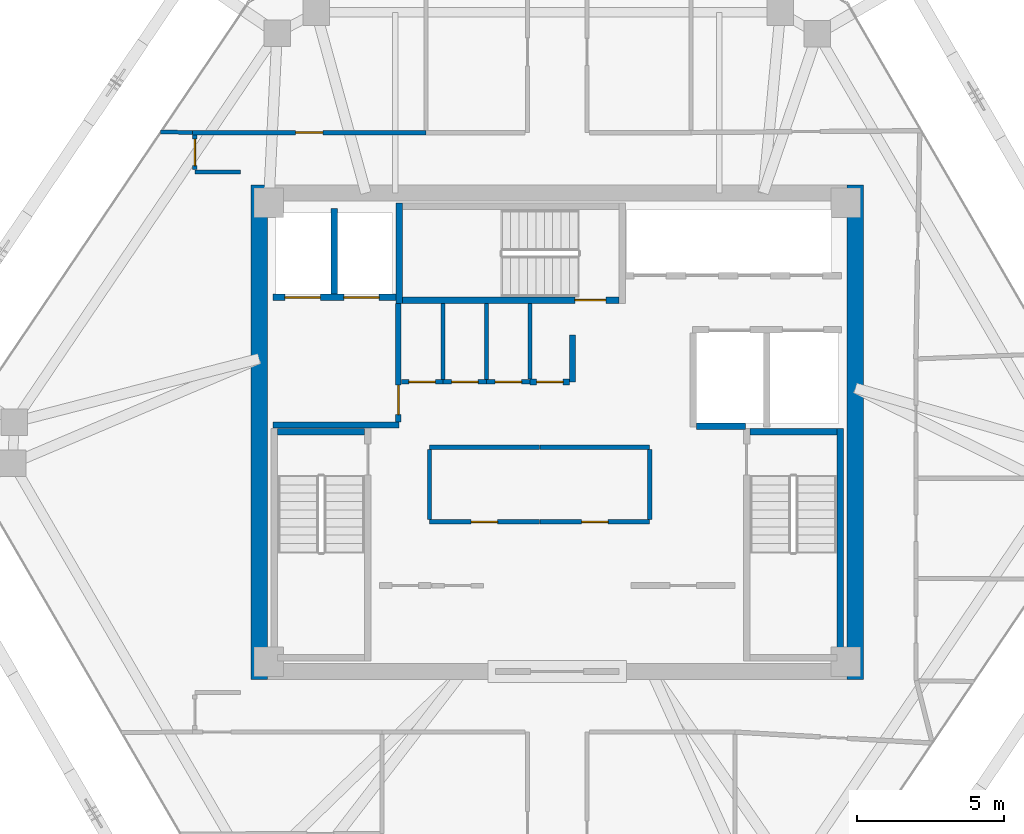
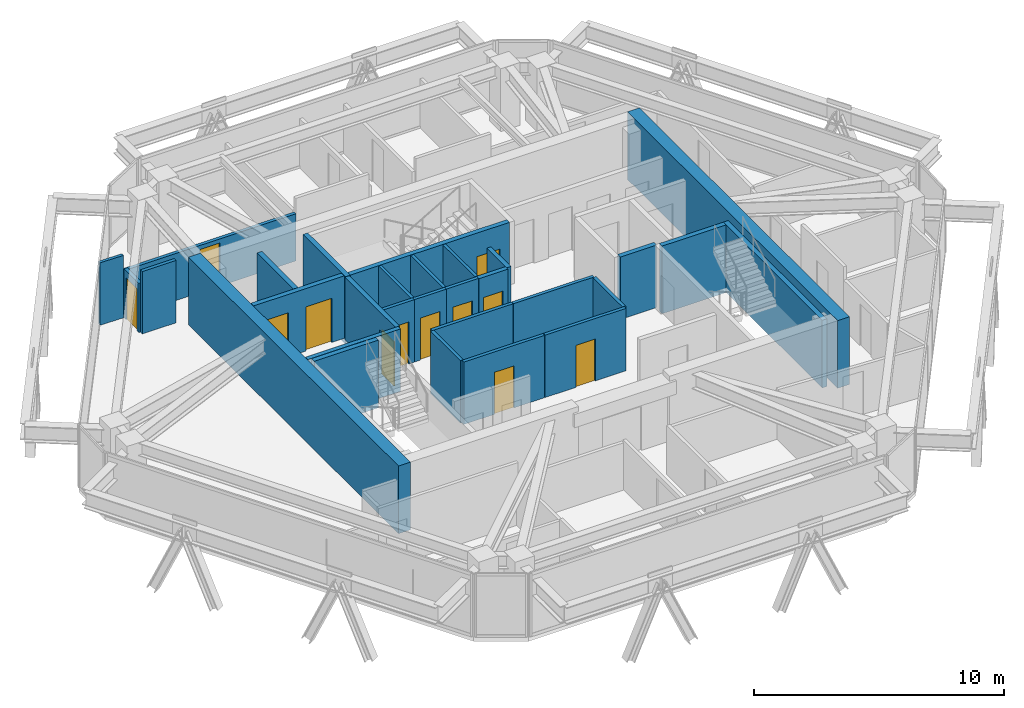
# One storey, part 10 of 13: 30 walls, 12 doors, 12 openings.
"""IFC4 building model written with IfcOpenShell, lengths in metres."""

from ifc_helpers import new_model, si_unit, direction, frame, frame_2d, origin, place, context, subcontext, project, spatial, rectangle, extrude, source, transform, mapped, material, layer, layer_set, type_object, type_shapes, element, fill, save


model = new_model("IFC4")

# Units and contexts
model_context = context("Model", 3, precision=1e-05, world=origin(), true_north=direction((0.0, 1.0)))
body_context = subcontext(model_context, "Body", "Model", "MODEL_VIEW")
ifc_project = project(units=[si_unit("LENGTHUNIT", "METRE"), si_unit("AREAUNIT", "SQUARE_METRE"), si_unit("VOLUMEUNIT", "CUBIC_METRE"), si_unit("PLANEANGLEUNIT", "RADIAN"), si_unit("MASSUNIT", "GRAM", prefix="KILO")], contexts=[model_context])

# Site, building, storey
site_placement = place(None, origin())
site = spatial("IfcSite", under=ifc_project, at=site_placement, CompositionType="ELEMENT")
building_placement = place(site_placement, origin())
building = spatial("IfcBuilding", under=site, at=building_placement, Name="Durnholm Broadcast Tower", CompositionType="ELEMENT")
storey_placement = place(building_placement, frame((0.0, 0.0, 234.800048828125)))
storey = spatial("IfcBuildingStorey", under=building, at=storey_placement, Name="L65", CompositionType="ELEMENT", Elevation=234.800048828125)

# Walls
ifc_material_1 = material(Name="Concrete C70/85", Category="concrete")
ifc_layer_1 = layer(ifc_material_1, 0.550048828125)
ifc_layer_set_1 = layer_set([ifc_layer_1], Name="Concrete C70/85")
wall_type_1 = type_object("IfcWallType", Name="WALL-CW-550", PredefinedType="SHEAR", material=ifc_layer_set_1)
for number, where, z_axis, x_axis, name in (
    (1, (-10.125, -8.39990234375, 0.0), (0.0, 0.0, 1.0), (0.0, 1.0, 0.0), "L65 central core shear wall CW-WEST"),
    (2, (10.125, -8.39990234375, 0.0), (0.0, 0.0, 1.0), (0.0, 1.0, 0.0), "L65 central core shear wall CW-EAST"),
):
    element("IfcWall", number, at=place(storey_placement, frame(where, z_axis=z_axis, x_axis=x_axis)), inside=storey, type_object=wall_type_1, Name=name, PredefinedType="SHEAR", context=body_context, shape_type="SweptSolid", body=[
        extrude(rectangle(XDim=16.7998046875, YDim=0.550048828125, at=frame_2d((8.39990234375, 0.0))), origin(), (0.0, 0.0, 1.0), 3.300048828125),
    ])
ifc_material_2 = material(Name="Fire-Rated Gypsum Shaftwall", Category="concrete")
ifc_layer_2 = layer(ifc_material_2, 0.199951171875)
ifc_layer_set_2 = layer_set([ifc_layer_2], Name="Fire-Rated Gypsum Shaftwall")
wall_type_2 = type_object("IfcWallType", Name="WALL-LOB-200", PredefinedType="SOLIDWALL", material=ifc_layer_set_2)
wall_1_placement = place(storey_placement, frame((-9.64990234375, 0.25, 0.0), z_axis=(0.0, 0.0, 1.0), x_axis=(1.0, 0.0, 0.0)))
element("IfcWall", 3, at=wall_1_placement, inside=storey, type_object=wall_type_2, Name="L65 Fire Service Access Elevator lobby south wall", PredefinedType="SOLIDWALL", context=body_context, shape_type="SweptSolid", body=[
    extrude(rectangle(XDim=4.27001953125, YDim=0.199951171875, at=frame_2d((2.135009765625, 0.0))), origin(), (0.0, 0.0, 1.0), 3.044921875),
])

# Wall, opening, door
wall_2_placement = place(storey_placement, frame((-5.39990234375, 0.35400390625, 0.0), z_axis=(0.0, 0.0, 1.0), x_axis=(0.0, 1.0, 0.0)))
wall_2 = element("IfcWall", 4, at=wall_2_placement, inside=storey, type_object=wall_type_2, Name="L65 Fire Service Access Elevator lobby east fire wall", PredefinedType="SOLIDWALL", context=body_context, shape_type="SweptSolid", body=[
    extrude(rectangle(XDim=4.02587890625, YDim=0.199951171875, at=frame_2d((2.012939453125, 0.0))), origin(), (0.0, 0.0, 1.0), 3.044921875),
])
opening_1_placement = place(wall_2_placement, frame((0.24609375, 0.0, 0.0)))
opening_1 = element("IfcOpeningElement", 5, at=opening_1_placement, cuts=wall_2, Name="Opening DL-60R", PredefinedType="OPENING", context=body_context, shape_type="SweptSolid", body=[
    extrude(rectangle(XDim=1.0, YDim=2.14990234375, at=frame_2d((0.5, 1.074951171875))), frame((0.0, 0.10986328125, 0.0), z_axis=(0.0, -1.0, 0.0), x_axis=(1.0, 0.0, 0.0)), (0.0, 0.0, 1.0), 0.219970703125),
])
ifc_material_3 = material(Name="Fire-Rated Timber/Steel Door", Category="steel")
ifc_layer_3 = layer(ifc_material_3, 0.050048828125)
ifc_layer_set_3 = layer_set([ifc_layer_3], Name="Fire-Rated Timber/Steel Door")
door_type_1 = type_object("IfcDoorType", Name="DOOR-LOB-FD60-R", OperationType="NOTDEFINED", PredefinedType="DOOR", material=ifc_layer_set_3)
shared_shape_1 = source(origin(), body_context, "Body", "SweptSolid", [
    extrude(rectangle(XDim=1.0, YDim=2.14990234375, at=frame_2d((0.5, 1.074951171875))), frame((0.0, 0.02490234375, 0.0), z_axis=(0.0, -1.0, 0.0), x_axis=(1.0, 0.0, 0.0)), (0.0, 0.0, 1.0), 0.050048828125),
])
type_shapes(door_type_1, [shared_shape_1])
door_1_placement = place(opening_1_placement, origin())
door_1 = element("IfcDoor", 6, at=door_1_placement, inside=storey, type_object=door_type_1, Name="L65 Fire Service Access Elevator lobby smoke door", OperationType="SINGLE_SWING_RIGHT", OverallHeight=2.14990234375, OverallWidth=1.0, PredefinedType="DOOR", context=body_context, shape_type="MappedRepresentation", body=[
    mapped(shared_shape_1, transform((0.0, 0.0, 0.0), x_axis=(1.0, 0.0, 0.0), y_axis=(0.0, 1.0, 0.0), z_axis=(0.0, 0.0, 1.0), scale=1.0)),
])
fill(opening_1, door_1)

# Wall
wall_3_placement = place(storey_placement, frame((0.52001953125, 3.300048828125, 0.0), z_axis=(0.0, 0.0, 1.0), x_axis=(0.0, -1.0, 0.0)))
element("IfcWall", 7, at=wall_3_placement, inside=storey, type_object=wall_type_2, Name="L65 Core Signal Sync Room corridor partition", PredefinedType="SOLIDWALL", context=body_context, shape_type="SweptSolid", body=[
    extrude(rectangle(XDim=1.590087890625, YDim=0.199951171875, at=frame_2d((0.794921875, 0.0))), origin(), (0.0, 0.0, 1.0), 3.044921875),
])

# Wall, opening, door
wall_4_placement = place(storey_placement, frame((0.416015625, 1.7099609375, 0.0), z_axis=(0.0, 0.0, 1.0), x_axis=(-1.0, 0.0, 0.0)))
wall_4 = element("IfcWall", 8, at=wall_4_placement, inside=storey, type_object=wall_type_2, Name="L65 Core Signal Sync Room corridor partition", PredefinedType="SOLIDWALL", context=body_context, shape_type="SweptSolid", body=[
    extrude(rectangle(XDim=1.3359375, YDim=0.199951171875, at=frame_2d((0.66796875, 0.0))), origin(), (0.0, 0.0, 1.0), 3.044921875),
])
opening_2_placement = place(wall_4_placement, frame((0.218017578125, 0.0, 0.0)))
opening_2 = element("IfcOpeningElement", 9, at=opening_2_placement, cuts=wall_4, Name="Opening DC-60R", PredefinedType="OPENING", context=body_context, shape_type="SweptSolid", body=[
    extrude(rectangle(XDim=0.89990234375, YDim=2.050048828125, at=frame_2d((0.449951171875, 1.02490234375))), frame((0.0, 0.10986328125, 0.0), z_axis=(0.0, -1.0, 0.0), x_axis=(1.0, 0.0, 0.0)), (0.0, 0.0, 1.0), 0.219970703125),
])
ifc_material_4 = material(Name="Fire-Rated Core Service Door", Category="steel")
ifc_layer_4 = layer(ifc_material_4, 0.050048828125)
ifc_layer_set_4 = layer_set([ifc_layer_4], Name="Fire-Rated Core Service Door")
door_type_2 = type_object("IfcDoorType", Name="DOOR-CORE-FD60-R", OperationType="NOTDEFINED", PredefinedType="DOOR", material=ifc_layer_set_4)
shared_shape_2 = source(origin(), body_context, "Body", "SweptSolid", [
    extrude(rectangle(XDim=0.89990234375, YDim=2.050048828125, at=frame_2d((0.449951171875, 1.02490234375))), frame((0.0, 0.02490234375, 0.0), z_axis=(0.0, -1.0, 0.0), x_axis=(1.0, 0.0, 0.0)), (0.0, 0.0, 1.0), 0.050048828125),
])
type_shapes(door_type_2, [shared_shape_2])
door_2_placement = place(opening_2_placement, origin())
door_2 = element("IfcDoor", 10, at=door_2_placement, inside=storey, type_object=door_type_2, Name="L65 Core Signal Sync Room entrance door", OperationType="SINGLE_SWING_RIGHT", OverallHeight=2.050048828125, OverallWidth=0.89990234375, PredefinedType="DOOR", context=body_context, shape_type="MappedRepresentation", body=[
    mapped(shared_shape_2, transform((0.0, 0.0, 0.0), x_axis=(1.0, 0.0, 0.0), y_axis=(0.0, 1.0, 0.0), z_axis=(0.0, 0.0, 1.0), scale=1.0)),
])
fill(opening_2, door_2)

# Walls
ifc_material_5 = material(Name="Gypsum Metal Stud Partition", Category="concrete")
ifc_layer_5 = layer(ifc_material_5, 0.135009765625)
ifc_layer_set_5 = layer_set([ifc_layer_5], Name="Gypsum Metal Stud Partition")
wall_type_3 = type_object("IfcWallType", Name="WALL-PART-135", PredefinedType="PARTITIONING", material=ifc_layer_set_5)
for number, where, z_axis, x_axis, name in (
    (11, (-3.8798828125, 4.375, 0.0), (0.0, 0.0, 1.0), (0.0, -1.0, 0.0), "L65 room dividing partition 6.7"),
    (12, (-2.39990234375, 4.375, 0.0), (0.0, 0.0, 1.0), (0.0, -1.0, 0.0), "L65 room dividing partition 7.8"),
):
    element("IfcWall", number, at=place(storey_placement, frame(where, z_axis=z_axis, x_axis=x_axis)), inside=storey, type_object=wall_type_3, Name=name, PredefinedType="PARTITIONING", context=body_context, shape_type="SweptSolid", body=[
        extrude(rectangle(XDim=2.5859375, YDim=0.135009765625, at=frame_2d((1.29296875, 0.0))), origin(), (0.0, 0.0, 1.0), 3.044921875),
    ])
wall_5_placement = place(storey_placement, frame((-0.919921875, 4.375, 0.0), z_axis=(0.0, 0.0, 1.0), x_axis=(0.0, -1.0, 0.0)))
element("IfcWall", 13, at=wall_5_placement, inside=storey, type_object=wall_type_3, Name="L65 room dividing partition 8.9", PredefinedType="PARTITIONING", context=body_context, shape_type="SweptSolid", body=[
    extrude(rectangle(XDim=2.56103515625, YDim=0.135009765625, at=frame_2d((1.280517578125, 0.0))), origin(), (0.0, 0.0, 1.0), 3.044921875),
])
wall_6_placement = place(storey_placement, frame((-12.389892578125, 10.181396484375, 0.0), z_axis=(0.0, 0.0, 1.0), x_axis=(-0.999812128272, 0.019383192748, 0.0)))
element("IfcWall", 14, at=wall_6_placement, inside=storey, type_object=wall_type_3, Name="L65 room dividing partition 13.23", PredefinedType="PARTITIONING", context=body_context, shape_type="SweptSolid", body=[
    extrude(rectangle(XDim=1.083251953125, YDim=0.135009765625, at=frame_2d((0.54150390625, 0.0))), origin(), (0.0, 0.0, 1.0), 3.044921875),
])

# Wall, opening, door
ifc_material_6 = material(Name="Acoustic Gypsum Stud Partition", Category="concrete")
ifc_layer_6 = layer(ifc_material_6, 0.14990234375)
ifc_layer_set_6 = layer_set([ifc_layer_6], Name="Acoustic Gypsum Stud Partition")
wall_type_4 = type_object("IfcWallType", Name="WALL-PART-150", PredefinedType="PARTITIONING", material=ifc_layer_set_6)
wall_7_placement = place(storey_placement, frame((-0.610107421875, -3.0400390625, 0.0), z_axis=(0.0, 0.0, 1.0), x_axis=(-1.0, 0.0, 0.0)))
wall_7 = element("IfcWall", 15, at=wall_7_placement, inside=storey, type_object=wall_type_4, Name="L65 Digital Tape Archive Store corridor partition", PredefinedType="PARTITIONING", context=body_context, shape_type="SweptSolid", body=[
    extrude(rectangle(XDim=3.72998046875, YDim=0.14990234375, at=frame_2d((1.864990234375, 0.0))), origin(), (0.0, 0.0, 1.0), 3.044921875),
])
opening_3_placement = place(wall_7_placement, frame((1.4150390625, 0.0, 0.0)))
opening_3 = element("IfcOpeningElement", 16, at=opening_3_placement, cuts=wall_7, Name="Opening DC-60L", PredefinedType="OPENING", context=body_context, shape_type="SweptSolid", body=[
    extrude(rectangle(XDim=0.89990234375, YDim=2.050048828125, at=frame_2d((0.449951171875, 1.02490234375))), frame((0.0, 0.0849609375, 0.0), z_axis=(0.0, -1.0, 0.0), x_axis=(1.0, 0.0, 0.0)), (0.0, 0.0, 1.0), 0.169921875),
])
ifc_layer_7 = layer(ifc_material_4, 0.050048828125)
ifc_layer_set_7 = layer_set([ifc_layer_7], Name="Fire-Rated Core Service Door")
door_type_3 = type_object("IfcDoorType", Name="DOOR-CORE-FD60-L", OperationType="NOTDEFINED", PredefinedType="DOOR", material=ifc_layer_set_7)
shared_shape_3 = source(origin(), body_context, "Body", "SweptSolid", [
    extrude(rectangle(XDim=0.89990234375, YDim=2.050048828125, at=frame_2d((0.449951171875, 1.02490234375))), frame((0.0, 0.02490234375, 0.0), z_axis=(0.0, -1.0, 0.0), x_axis=(1.0, 0.0, 0.0)), (0.0, 0.0, 1.0), 0.050048828125),
])
type_shapes(door_type_3, [shared_shape_3])
door_3_placement = place(opening_3_placement, origin())
door_3 = element("IfcDoor", 17, at=door_3_placement, inside=storey, type_object=door_type_3, Name="L65 Digital Tape Archive Store entrance door", OperationType="SINGLE_SWING_LEFT", OverallHeight=2.050048828125, OverallWidth=0.89990234375, PredefinedType="DOOR", context=body_context, shape_type="MappedRepresentation", body=[
    mapped(shared_shape_3, transform((0.0, 0.0, 0.0), x_axis=(1.0, 0.0, 0.0), y_axis=(0.0, 1.0, 0.0), z_axis=(0.0, 0.0, 1.0), scale=1.0)),
])
fill(opening_3, door_3)

# Walls
wall_8_placement = place(storey_placement, frame((-4.340087890625, -0.510009765625, 0.0), z_axis=(0.0, 0.0, 1.0), x_axis=(1.0, 0.0, 0.0)))
element("IfcWall", 18, at=wall_8_placement, inside=storey, type_object=wall_type_4, Name="L65 Digital Tape Archive Store corridor partition", PredefinedType="PARTITIONING", context=body_context, shape_type="SweptSolid", body=[
    extrude(rectangle(XDim=3.72998046875, YDim=0.14990234375, at=frame_2d((1.864990234375, 0.0))), origin(), (0.0, 0.0, 1.0), 3.044921875),
])
wall_9_placement = place(storey_placement, frame((-4.340087890625, -2.9609375, 0.0), z_axis=(0.0, 0.0, 1.0), x_axis=(0.0, 1.0, 0.0)))
element("IfcWall", 19, at=wall_9_placement, inside=storey, type_object=wall_type_4, Name="L65 Digital Tape Archive Store corridor partition", PredefinedType="PARTITIONING", context=body_context, shape_type="SweptSolid", body=[
    extrude(rectangle(XDim=2.371826171875, YDim=0.14990234375, at=frame_2d((1.18603515625, 0.0))), origin(), (0.0, 0.0, 1.0), 3.044921875),
])

# Wall, opening, door
wall_10_placement = place(storey_placement, frame((3.139892578125, -3.0400390625, 0.0), z_axis=(0.0, 0.0, 1.0), x_axis=(-1.0, 0.0, 0.0)))
wall_10 = element("IfcWall", 20, at=wall_10_placement, inside=storey, type_object=wall_type_4, Name="L65 High-Rise Refreshment Pantry corridor partition", PredefinedType="PARTITIONING", context=body_context, shape_type="SweptSolid", body=[
    extrude(rectangle(XDim=3.72998046875, YDim=0.14990234375, at=frame_2d((1.864990234375, 0.0))), origin(), (0.0, 0.0, 1.0), 3.044921875),
])
opening_4_placement = place(wall_10_placement, frame((1.4150390625, 0.0, 0.0)))
opening_4 = element("IfcOpeningElement", 21, at=opening_4_placement, cuts=wall_10, Name="Opening DC-60R", PredefinedType="OPENING", context=body_context, shape_type="SweptSolid", body=[
    extrude(rectangle(XDim=0.89990234375, YDim=2.050048828125, at=frame_2d((0.449951171875, 1.02490234375))), frame((0.0, 0.0849609375, 0.0), z_axis=(0.0, -1.0, 0.0), x_axis=(1.0, 0.0, 0.0)), (0.0, 0.0, 1.0), 0.169921875),
])
door_4_placement = place(opening_4_placement, origin())
door_4 = element("IfcDoor", 22, at=door_4_placement, inside=storey, type_object=door_type_2, Name="L65 High-Rise Refreshment Pantry entrance door", OperationType="SINGLE_SWING_RIGHT", OverallHeight=2.050048828125, OverallWidth=0.89990234375, PredefinedType="DOOR", context=body_context, shape_type="MappedRepresentation", body=[
    mapped(shared_shape_2, transform((0.0, 0.0, 0.0), x_axis=(1.0, 0.0, 0.0), y_axis=(0.0, 1.0, 0.0), z_axis=(0.0, 0.0, 1.0), scale=1.0)),
])
fill(opening_4, door_4)

# Walls
wall_11_placement = place(storey_placement, frame((-0.590087890625, -0.510009765625, 0.0), z_axis=(0.0, 0.0, 1.0), x_axis=(1.0, 0.0, 0.0)))
element("IfcWall", 23, at=wall_11_placement, inside=storey, type_object=wall_type_4, Name="L65 High-Rise Refreshment Pantry corridor partition", PredefinedType="PARTITIONING", context=body_context, shape_type="SweptSolid", body=[
    extrude(rectangle(XDim=3.72998046875, YDim=0.14990234375, at=frame_2d((1.864990234375, 0.0))), origin(), (0.0, 0.0, 1.0), 3.044921875),
])
wall_12_placement = place(storey_placement, frame((3.139892578125, -0.589111328125, 0.0), z_axis=(0.0, 0.0, 1.0), x_axis=(0.0, -1.0, 0.0)))
element("IfcWall", 24, at=wall_12_placement, inside=storey, type_object=wall_type_4, Name="L65 High-Rise Refreshment Pantry corridor partition", PredefinedType="PARTITIONING", context=body_context, shape_type="SweptSolid", body=[
    extrude(rectangle(XDim=2.371826171875, YDim=0.14990234375, at=frame_2d((1.18603515625, 0.0))), origin(), (0.0, 0.0, 1.0), 3.044921875),
])

# Wall, opening, door
wall_13_placement = place(storey_placement, frame((-3.8798828125, 1.7099609375, 0.0), z_axis=(0.0, 0.0, 1.0), x_axis=(-1.0, 0.0, 0.0)))
wall_13 = element("IfcWall", 25, at=wall_13_placement, inside=storey, type_object=wall_type_4, Name="L65 Core First Aid Store corridor partition", PredefinedType="PARTITIONING", context=body_context, shape_type="SweptSolid", body=[
    extrude(rectangle(XDim=1.416015625, YDim=0.14990234375, at=frame_2d((0.7080078125, 0.0))), origin(), (0.0, 0.0, 1.0), 3.044921875),
])
opening_5_placement = place(wall_13_placement, frame((0.258056640625, 0.0, 0.0)))
opening_5 = element("IfcOpeningElement", 26, at=opening_5_placement, cuts=wall_13, Name="Opening DC-60L", PredefinedType="OPENING", context=body_context, shape_type="SweptSolid", body=[
    extrude(rectangle(XDim=0.89990234375, YDim=2.050048828125, at=frame_2d((0.449951171875, 1.02490234375))), frame((0.0, 0.0849609375, 0.0), z_axis=(0.0, -1.0, 0.0), x_axis=(1.0, 0.0, 0.0)), (0.0, 0.0, 1.0), 0.169921875),
])
door_5_placement = place(opening_5_placement, origin())
door_5 = element("IfcDoor", 27, at=door_5_placement, inside=storey, type_object=door_type_3, Name="L65 Core First Aid Store entrance door", OperationType="SINGLE_SWING_LEFT", OverallHeight=2.050048828125, OverallWidth=0.89990234375, PredefinedType="DOOR", context=body_context, shape_type="MappedRepresentation", body=[
    mapped(shared_shape_3, transform((0.0, 0.0, 0.0), x_axis=(1.0, 0.0, 0.0), y_axis=(0.0, 1.0, 0.0), z_axis=(0.0, 0.0, 1.0), scale=1.0)),
])
fill(opening_5, door_5)

wall_14_placement = place(storey_placement, frame((-2.39990234375, 1.7099609375, 0.0), z_axis=(0.0, 0.0, 1.0), x_axis=(-1.0, 0.0, 0.0)))
wall_14 = element("IfcWall", 28, at=wall_14_placement, inside=storey, type_object=wall_type_4, Name="L65 Core Linen Supply Closet corridor partition", PredefinedType="PARTITIONING", context=body_context, shape_type="SweptSolid", body=[
    extrude(rectangle(XDim=1.47998046875, YDim=0.14990234375, at=frame_2d((0.739990234375, 0.0))), origin(), (0.0, 0.0, 1.0), 3.044921875),
])
opening_6_placement = place(wall_14_placement, frame((0.2900390625, 0.0, 0.0)))
opening_6 = element("IfcOpeningElement", 29, at=opening_6_placement, cuts=wall_14, Name="Opening DC-60R", PredefinedType="OPENING", context=body_context, shape_type="SweptSolid", body=[
    extrude(rectangle(XDim=0.89990234375, YDim=2.050048828125, at=frame_2d((0.449951171875, 1.02490234375))), frame((0.0, 0.0849609375, 0.0), z_axis=(0.0, -1.0, 0.0), x_axis=(1.0, 0.0, 0.0)), (0.0, 0.0, 1.0), 0.169921875),
])
door_6_placement = place(opening_6_placement, origin())
door_6 = element("IfcDoor", 30, at=door_6_placement, inside=storey, type_object=door_type_2, Name="L65 Core Linen Supply Closet entrance door", OperationType="SINGLE_SWING_RIGHT", OverallHeight=2.050048828125, OverallWidth=0.89990234375, PredefinedType="DOOR", context=body_context, shape_type="MappedRepresentation", body=[
    mapped(shared_shape_2, transform((0.0, 0.0, 0.0), x_axis=(1.0, 0.0, 0.0), y_axis=(0.0, 1.0, 0.0), z_axis=(0.0, 0.0, 1.0), scale=1.0)),
])
fill(opening_6, door_6)

wall_15_placement = place(storey_placement, frame((-0.919921875, 1.7099609375, 0.0), z_axis=(0.0, 0.0, 1.0), x_axis=(-1.0, 0.0, 0.0)))
wall_15 = element("IfcWall", 31, at=wall_15_placement, inside=storey, type_object=wall_type_4, Name="L65 Core Safety Gear Store corridor partition", PredefinedType="PARTITIONING", context=body_context, shape_type="SweptSolid", body=[
    extrude(rectangle(XDim=1.47998046875, YDim=0.14990234375, at=frame_2d((0.739990234375, 0.0))), origin(), (0.0, 0.0, 1.0), 3.044921875),
])
opening_7_placement = place(wall_15_placement, frame((0.2900390625, 0.0, 0.0)))
opening_7 = element("IfcOpeningElement", 32, at=opening_7_placement, cuts=wall_15, Name="Opening DC-60L", PredefinedType="OPENING", context=body_context, shape_type="SweptSolid", body=[
    extrude(rectangle(XDim=0.89990234375, YDim=2.050048828125, at=frame_2d((0.449951171875, 1.02490234375))), frame((0.0, 0.0849609375, 0.0), z_axis=(0.0, -1.0, 0.0), x_axis=(1.0, 0.0, 0.0)), (0.0, 0.0, 1.0), 0.169921875),
])
door_7_placement = place(opening_7_placement, origin())
door_7 = element("IfcDoor", 33, at=door_7_placement, inside=storey, type_object=door_type_3, Name="L65 Core Safety Gear Store entrance door", OperationType="SINGLE_SWING_LEFT", OverallHeight=2.050048828125, OverallWidth=0.89990234375, PredefinedType="DOOR", context=body_context, shape_type="MappedRepresentation", body=[
    mapped(shared_shape_3, transform((0.0, 0.0, 0.0), x_axis=(1.0, 0.0, 0.0), y_axis=(0.0, 1.0, 0.0), z_axis=(0.0, 0.0, 1.0), scale=1.0)),
])
fill(opening_7, door_7)

wall_16_placement = place(storey_placement, frame((-4.4599609375, 10.179931640625, 0.0), z_axis=(0.0, 0.0, 1.0), x_axis=(-1.0, 0.0, 0.0)))
wall_16 = element("IfcWall", 34, at=wall_16_placement, inside=storey, type_object=wall_type_4, Name="L65 Open Plan Broadcast Workspace 2 corridor partition", PredefinedType="PARTITIONING", context=body_context, shape_type="SweptSolid", body=[
    extrude(rectangle(XDim=7.929931640625, YDim=0.14990234375, at=frame_2d((3.96484375, 0.0))), origin(), (0.0, 0.0, 1.0), 2.30126953125),
])
opening_8_placement = place(wall_16_placement, frame((3.5048828125, 0.0, 0.0)))
opening_8 = element("IfcOpeningElement", 35, at=opening_8_placement, cuts=wall_16, Name="Opening DR-92R", PredefinedType="OPENING", context=body_context, shape_type="SweptSolid", body=[
    extrude(rectangle(XDim=0.919921875, YDim=2.10009765625, at=frame_2d((0.4599609375, 1.050048828125))), frame((0.0, 0.0849609375, 0.0), z_axis=(0.0, -1.0, 0.0), x_axis=(1.0, 0.0, 0.0)), (0.0, 0.0, 1.0), 0.169921875),
])
ifc_material_7 = material(Name="Oak Veneer Office Door", Category="wood")
ifc_layer_8 = layer(ifc_material_7, 0.050048828125)
ifc_layer_set_8 = layer_set([ifc_layer_8], Name="Oak Veneer Office Door")
door_type_4 = type_object("IfcDoorType", Name="DOOR-RM-920R", OperationType="NOTDEFINED", PredefinedType="DOOR", material=ifc_layer_set_8)
shared_shape_4 = source(origin(), body_context, "Body", "SweptSolid", [
    extrude(rectangle(XDim=0.919921875, YDim=2.10009765625, at=frame_2d((0.4599609375, 1.050048828125))), frame((0.0, 0.02490234375, 0.0), z_axis=(0.0, -1.0, 0.0), x_axis=(1.0, 0.0, 0.0)), (0.0, 0.0, 1.0), 0.050048828125),
])
type_shapes(door_type_4, [shared_shape_4])
door_8_placement = place(opening_8_placement, origin())
door_8 = element("IfcDoor", 36, at=door_8_placement, inside=storey, type_object=door_type_4, Name="L65 Open Plan Broadcast Workspace 2 entrance door", OperationType="SINGLE_SWING_RIGHT", OverallHeight=2.10009765625, OverallWidth=0.919921875, PredefinedType="DOOR", context=body_context, shape_type="MappedRepresentation", body=[
    mapped(shared_shape_4, transform((0.0, 0.0, 0.0), x_axis=(1.0, 0.0, 0.0), y_axis=(0.0, 1.0, 0.0), z_axis=(0.0, 0.0, 1.0), scale=1.0)),
])
fill(opening_8, door_8)

# Wall
wall_17_placement = place(storey_placement, frame((-12.31005859375, 8.840087890625, 0.0), z_axis=(0.0, 0.0, 1.0), x_axis=(1.0, 0.0, 0.0)))
element("IfcWall", 37, at=wall_17_placement, inside=storey, type_object=wall_type_4, Name="L65 Pantry Kitchen corridor partition", PredefinedType="PARTITIONING", context=body_context, shape_type="SweptSolid", body=[
    extrude(rectangle(XDim=1.550048828125, YDim=0.14990234375, at=frame_2d((0.77490234375, 0.0))), origin(), (0.0, 0.0, 1.0), 3.044921875),
])

# Wall, opening, door
wall_18_placement = place(storey_placement, frame((-12.31005859375, 10.10107421875, 0.0), z_axis=(0.0, 0.0, 1.0), x_axis=(0.0, -1.0, 0.0)))
wall_18 = element("IfcWall", 38, at=wall_18_placement, inside=storey, type_object=wall_type_4, Name="L65 Pantry Kitchen corridor partition", PredefinedType="PARTITIONING", context=body_context, shape_type="SweptSolid", body=[
    extrude(rectangle(XDim=1.18212890625, YDim=0.14990234375, at=frame_2d((0.591064453125, 0.0))), origin(), (0.0, 0.0, 1.0), 2.398681640625),
])
opening_9_placement = place(wall_18_placement, frame((0.14111328125, 0.0, 0.0)))
opening_9 = element("IfcOpeningElement", 39, at=opening_9_placement, cuts=wall_18, Name="Opening DW-90L", PredefinedType="OPENING", context=body_context, shape_type="SweptSolid", body=[
    extrude(rectangle(XDim=0.89990234375, YDim=2.050048828125, at=frame_2d((0.449951171875, 1.02490234375))), frame((0.0, 0.0849609375, 0.0), z_axis=(0.0, -1.0, 0.0), x_axis=(1.0, 0.0, 0.0)), (0.0, 0.0, 1.0), 0.169921875),
])
ifc_material_8 = material(Name="Laminate Restroom Door", Category="steel")
ifc_layer_9 = layer(ifc_material_8, 0.050048828125)
ifc_layer_set_9 = layer_set([ifc_layer_9], Name="Laminate Restroom Door")
door_type_5 = type_object("IfcDoorType", Name="DOOR-WC-900L", OperationType="NOTDEFINED", PredefinedType="DOOR", material=ifc_layer_set_9)
shared_shape_5 = source(origin(), body_context, "Body", "SweptSolid", [
    extrude(rectangle(XDim=0.89990234375, YDim=2.050048828125, at=frame_2d((0.449951171875, 1.02490234375))), frame((0.0, 0.02490234375, 0.0), z_axis=(0.0, -1.0, 0.0), x_axis=(1.0, 0.0, 0.0)), (0.0, 0.0, 1.0), 0.050048828125),
])
type_shapes(door_type_5, [shared_shape_5])
door_9_placement = place(opening_9_placement, origin())
door_9 = element("IfcDoor", 40, at=door_9_placement, inside=storey, type_object=door_type_5, Name="L65 Pantry Kitchen entrance door", OperationType="SINGLE_SWING_LEFT", OverallHeight=2.050048828125, OverallWidth=0.89990234375, PredefinedType="DOOR", context=body_context, shape_type="MappedRepresentation", body=[
    mapped(shared_shape_5, transform((0.0, 0.0, 0.0), x_axis=(1.0, 0.0, 0.0), y_axis=(0.0, 1.0, 0.0), z_axis=(0.0, 0.0, 1.0), scale=1.0)),
])
fill(opening_9, door_9)

# Wall, openings, doors
ifc_material_9 = material(Name="Concrete Blockwork C30/37", Category="masonry")
ifc_layer_10 = layer(ifc_material_9, 0.219970703125)
ifc_layer_set_10 = layer_set([ifc_layer_10], Name="Concrete Blockwork C30/37")
wall_type_5 = type_object("IfcWallType", Name="WALL-SHAFT-220", PredefinedType="SOLIDWALL", material=ifc_layer_set_10)
wall_19_placement = place(storey_placement, frame((-9.64990234375, 4.580078125, 0.0), z_axis=(0.0, 0.0, 1.0), x_axis=(1.0, 0.0, 0.0)))
wall_19 = element("IfcWall", 41, at=wall_19_placement, inside=storey, type_object=wall_type_5, Name="L65 FSAE hoistway front fire wall", PredefinedType="SOLIDWALL", context=body_context, shape_type="SweptSolid", body=[
    extrude(rectangle(XDim=4.1748046875, YDim=0.219970703125, at=frame_2d((2.08740234375, 0.0))), origin(), (0.0, 0.0, 1.0), 3.044921875),
])
opening_10_placement = place(wall_19_placement, frame((0.39990234375, 0.0, 0.0)))
opening_10 = element("IfcOpeningElement", 42, at=opening_10_placement, cuts=wall_19, Name="Opening LD-FSAE-2", PredefinedType="OPENING", context=body_context, shape_type="SweptSolid", body=[
    extrude(rectangle(XDim=1.199951171875, YDim=2.14990234375, at=frame_2d((0.60009765625, 1.074951171875))), frame((0.0, 0.1201171875, 0.0), z_axis=(0.0, -1.0, 0.0), x_axis=(1.0, 0.0, 0.0)), (0.0, 0.0, 1.0), 0.239990234375),
])
opening_11_placement = place(wall_19_placement, frame((2.39990234375, 0.0, 0.0)))
opening_11 = element("IfcOpeningElement", 43, at=opening_11_placement, cuts=wall_19, Name="Opening LD-FSAE-1", PredefinedType="OPENING", context=body_context, shape_type="SweptSolid", body=[
    extrude(rectangle(XDim=1.199951171875, YDim=2.14990234375, at=frame_2d((0.60009765625, 1.074951171875))), frame((0.0, 0.1201171875, 0.0), z_axis=(0.0, -1.0, 0.0), x_axis=(1.0, 0.0, 0.0)), (0.0, 0.0, 1.0), 0.239990234375),
])
ifc_material_10 = material(Name="Fire Service Access Sliding Landing Door", Category="steel")
ifc_layer_11 = layer(ifc_material_10, 0.050048828125)
ifc_layer_set_11 = layer_set([ifc_layer_11], Name="Fire Service Access Sliding Landing Door")
door_type_6 = type_object("IfcDoorType", Name="DOOR-LIFT-FSAE", OperationType="DOUBLE_DOOR_SLIDING", PredefinedType="DOOR", material=ifc_layer_set_11)
shared_shape_6 = source(origin(), body_context, "Body", "SweptSolid", [
    extrude(rectangle(XDim=1.199951171875, YDim=2.14990234375, at=frame_2d((0.60009765625, 1.074951171875))), frame((0.0, 0.02490234375, 0.0), z_axis=(0.0, -1.0, 0.0), x_axis=(1.0, 0.0, 0.0)), (0.0, 0.0, 1.0), 0.050048828125),
])
type_shapes(door_type_6, [shared_shape_6])
door_10_placement = place(opening_10_placement, origin())
door_10 = element("IfcDoor", 44, at=door_10_placement, inside=storey, type_object=door_type_6, Name="L65 Fire Service Access Elevator FSAE-2 sliding landing door", OperationType="DOUBLE_DOOR_SLIDING", OverallHeight=2.14990234375, OverallWidth=1.199951171875, PredefinedType="DOOR", context=body_context, shape_type="MappedRepresentation", body=[
    mapped(shared_shape_6, transform((0.0, 0.0, 0.0), x_axis=(1.0, 0.0, 0.0), y_axis=(0.0, 1.0, 0.0), z_axis=(0.0, 0.0, 1.0), scale=1.0)),
])
fill(opening_10, door_10)
door_11_placement = place(opening_11_placement, origin())
door_11 = element("IfcDoor", 45, at=door_11_placement, inside=storey, type_object=door_type_6, Name="L65 Fire Service Access Elevator FSAE-1 sliding landing door", OperationType="DOUBLE_DOOR_SLIDING", OverallHeight=2.14990234375, OverallWidth=1.199951171875, PredefinedType="DOOR", context=body_context, shape_type="MappedRepresentation", body=[
    mapped(shared_shape_6, transform((0.0, 0.0, 0.0), x_axis=(1.0, 0.0, 0.0), y_axis=(0.0, 1.0, 0.0), z_axis=(0.0, 0.0, 1.0), scale=1.0)),
])
fill(opening_11, door_11)

# Walls
wall_20_placement = place(storey_placement, frame((-7.580078125, 4.694091796875, 0.0), z_axis=(0.0, 0.0, 1.0), x_axis=(0.0, 1.0, 0.0)))
element("IfcWall", 46, at=wall_20_placement, inside=storey, type_object=wall_type_5, Name="L65 FSAE shaft divider wall", PredefinedType="SOLIDWALL", context=body_context, shape_type="SweptSolid", body=[
    extrude(rectangle(XDim=2.906005859375, YDim=0.219970703125, at=frame_2d((1.453125, 0.0))), origin(), (0.0, 0.0, 1.0), 3.044921875),
])
wall_21_placement = place(storey_placement, frame((4.73388671875, 0.199951171875, 0.0), z_axis=(0.0, 0.0, 1.0), x_axis=(1.0, 0.0, 0.0)))
element("IfcWall", 47, at=wall_21_placement, inside=storey, type_object=wall_type_5, Name="L65 freight service lift SVL-2 south wall", PredefinedType="SOLIDWALL", context=body_context, shape_type="SweptSolid", body=[
    extrude(rectangle(XDim=1.666015625, YDim=0.219970703125, at=frame_2d((0.8330078125, 0.0))), origin(), (0.0, 0.0, 1.0), 3.044921875),
])
ifc_material_11 = material(Name="Concrete C50/60", Category="concrete")
ifc_layer_12 = layer(ifc_material_11, 0.219970703125)
ifc_layer_set_12 = layer_set([ifc_layer_12], Name="Concrete C50/60")
wall_type_6 = type_object("IfcWallType", Name="WALL-SW-220", PredefinedType="SHEAR", material=ifc_layer_set_12)
wall_22_placement = place(storey_placement, frame((-6.5400390625, 0.010009765625, -0.239990234375), z_axis=(0.0, 0.0, 1.0), x_axis=(-1.0, 0.0, 0.0)))
element("IfcWall", 48, at=wall_22_placement, inside=storey, type_object=wall_type_6, Name="L65 stair ST-1 structural shaft wall N", PredefinedType="SHEAR", context=body_context, shape_type="SweptSolid", body=[
    extrude(rectangle(XDim=2.9599609375, YDim=0.219970703125, at=frame_2d((1.47998046875, 0.0))), origin(), (0.0, 0.0, 1.0), 3.300048828125),
])
wall_23_placement = place(storey_placement, frame((9.610107421875, -7.77001953125, -0.239990234375), z_axis=(0.0, 0.0, 1.0), x_axis=(0.0, 1.0, 0.0)))
element("IfcWall", 49, at=wall_23_placement, inside=storey, type_object=wall_type_6, Name="L65 stair ST-2 structural shaft wall E", PredefinedType="SHEAR", context=body_context, shape_type="SweptSolid", body=[
    extrude(rectangle(XDim=7.89013671875, YDim=0.219970703125, at=frame_2d((3.945068359375, 0.0))), origin(), (0.0, 0.0, 1.0), 3.300048828125),
])
wall_24_placement = place(storey_placement, frame((9.5, 0.010009765625, -0.239990234375), z_axis=(0.0, 0.0, 1.0), x_axis=(-1.0, 0.0, 0.0)))
element("IfcWall", 50, at=wall_24_placement, inside=storey, type_object=wall_type_6, Name="L65 stair ST-2 structural shaft wall N", PredefinedType="SHEAR", context=body_context, shape_type="SweptSolid", body=[
    extrude(rectangle(XDim=2.9599609375, YDim=0.219970703125, at=frame_2d((1.47998046875, 0.0))), origin(), (0.0, 0.0, 1.0), 3.300048828125),
])
wall_25_placement = place(storey_placement, frame((-5.360107421875, 7.780029296875, -0.239990234375), z_axis=(0.0, 0.0, 1.0), x_axis=(0.0, -1.0, 0.0)))
element("IfcWall", 51, at=wall_25_placement, inside=storey, type_object=wall_type_6, Name="L65 stair ST-3 structural shaft wall W", PredefinedType="SHEAR", context=body_context, shape_type="SweptSolid", body=[
    extrude(rectangle(XDim=3.400146484375, YDim=0.219970703125, at=frame_2d((1.7001953125, 0.0))), origin(), (0.0, 0.0, 1.0), 3.300048828125),
])

# Wall, opening, door
wall_26_placement = place(storey_placement, frame((-5.25, 4.489990234375, -0.239990234375), z_axis=(0.0, 0.0, 1.0), x_axis=(1.0, 0.0, 0.0)))
wall_26 = element("IfcWall", 52, at=wall_26_placement, inside=storey, type_object=wall_type_6, Name="L65 stair ST-3 structural shaft wall S", PredefinedType="SHEAR", context=body_context, shape_type="SweptSolid", body=[
    extrude(rectangle(XDim=7.35009765625, YDim=0.219970703125, at=frame_2d((3.675048828125, 0.0))), origin(), (0.0, 0.0, 1.0), 3.300048828125),
])
opening_12_placement = place(wall_26_placement, frame((5.85009765625, 0.0, 0.0)))
opening_12 = element("IfcOpeningElement", 53, at=opening_12_placement, cuts=wall_26, Name="Opening DS-90L", PredefinedType="OPENING", context=body_context, shape_type="SweptSolid", body=[
    extrude(rectangle(XDim=1.050048828125, YDim=2.14990234375, at=frame_2d((0.52490234375, 1.074951171875))), frame((0.0, 0.1201171875, 0.0), z_axis=(0.0, -1.0, 0.0), x_axis=(1.0, 0.0, 0.0)), (0.0, 0.0, 1.0), 0.239990234375),
])
ifc_material_12 = material(Name="Fire-Rated Steel Door", Category="steel")
ifc_layer_13 = layer(ifc_material_12, 0.050048828125)
ifc_layer_set_13 = layer_set([ifc_layer_13], Name="Fire-Rated Steel Door")
door_type_7 = type_object("IfcDoorType", Name="DOOR-ST-FD90-L", OperationType="NOTDEFINED", PredefinedType="DOOR", material=ifc_layer_set_13)
shared_shape_7 = source(origin(), body_context, "Body", "SweptSolid", [
    extrude(rectangle(XDim=1.050048828125, YDim=2.14990234375, at=frame_2d((0.52490234375, 1.074951171875))), frame((0.0, 0.02490234375, 0.0), z_axis=(0.0, -1.0, 0.0), x_axis=(1.0, 0.0, 0.0)), (0.0, 0.0, 1.0), 0.050048828125),
])
type_shapes(door_type_7, [shared_shape_7])
door_12_placement = place(opening_12_placement, origin())
door_12 = element("IfcDoor", 54, at=door_12_placement, inside=storey, type_object=door_type_7, Name="L65 exit stair ST-3 fire door", OperationType="SINGLE_SWING_LEFT", OverallHeight=2.14990234375, OverallWidth=1.050048828125, PredefinedType="DOOR", context=body_context, shape_type="MappedRepresentation", body=[
    mapped(shared_shape_7, transform((0.0, 0.0, 0.0), x_axis=(1.0, 0.0, 0.0), y_axis=(0.0, 1.0, 0.0), z_axis=(0.0, 0.0, 1.0), scale=1.0)),
])
fill(opening_12, door_12)

save(model, "model.ifc")
